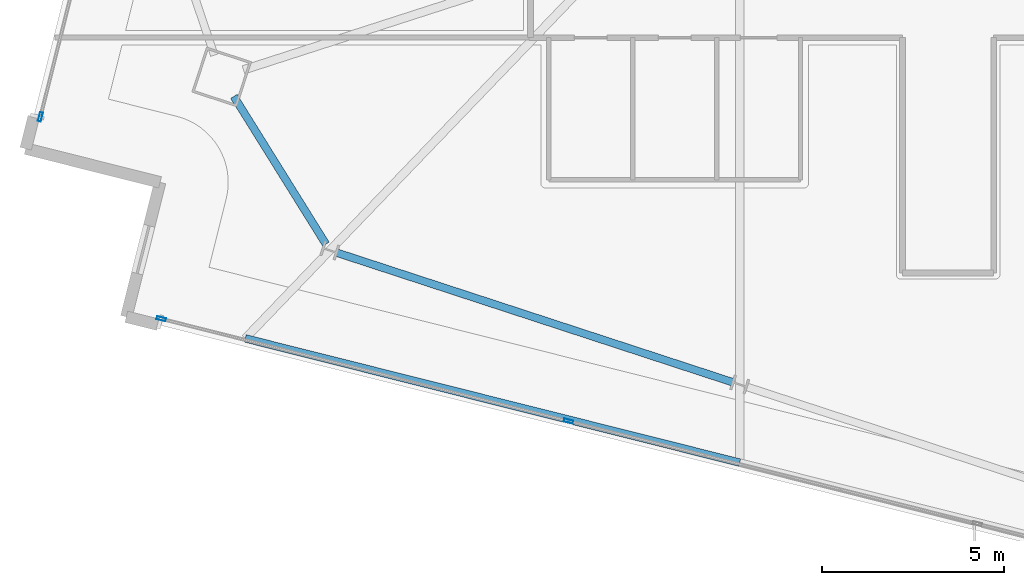
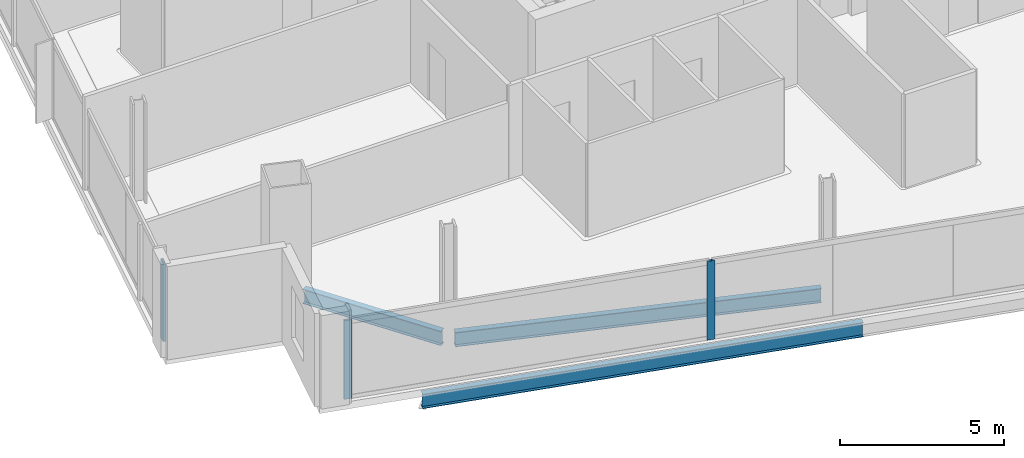
# One storey, part 2 of 28: 3 beams, 3 members, 2 elements without a shape of their own.
"""IFC4 building model written with IfcOpenShell, lengths in metres."""

from ifc_helpers import new_model, si_unit, direction, frame, origin, origin_2d, place, context, subcontext, project, spatial, hollow_rectangle, i_section, extrude, material, material_profile, profile_set, type_object, element, aggregate, save


model = new_model("IFC4")

# Units and contexts
model_context = context("Model", 3, precision=1e-05, world=origin(), true_north=direction((0.0, 1.0)))
body_context = subcontext(model_context, "Body", "Model", "MODEL_VIEW")
ifc_project = project(units=[si_unit("LENGTHUNIT", "METRE"), si_unit("AREAUNIT", "SQUARE_METRE"), si_unit("VOLUMEUNIT", "CUBIC_METRE"), si_unit("PLANEANGLEUNIT", "RADIAN"), si_unit("MASSUNIT", "GRAM", prefix="KILO")], contexts=[model_context])

# Site, building, storey
site_placement = place(None, origin())
site = spatial("IfcSite", under=ifc_project, at=site_placement, CompositionType="ELEMENT")
building_placement = place(site_placement, origin())
building = spatial("IfcBuilding", under=site, at=building_placement, Name="Haldenkirk Collegiate Tower", CompositionType="ELEMENT")
storey_placement = place(building_placement, frame((0.0, 0.0, 282.449951171875)))
storey = spatial("IfcBuildingStorey", under=building, at=storey_placement, Name="L71", CompositionType="ELEMENT", Elevation=282.449951171875)

# Beams
ifc_material_1 = material(Name="Steel ASTM A992 Grade 50", Category="steel")
ifc_material_profile_1 = material_profile(ifc_material_1, i_section(OverallWidth=0.2099609375, OverallDepth=0.537109375, WebThickness=0.010986328125, FlangeThickness=0.017333984375, at=origin_2d()), Name="W21X68")
ifc_profile_set_1 = profile_set([ifc_material_profile_1], Name="Steel ASTM A992 Grade 50")
beam_type = type_object("IfcBeamType", Name="BM-SPANDREL-W21X68", PredefinedType="SPANDREL", material=ifc_profile_set_1)
beam_1_placement = place(storey_placement, frame((16.41064453125, 13.939697265625, -0.538330078125), z_axis=(0.528899826427, -0.848684260255, 0.0), x_axis=(0.848684260255, 0.528899826427, 0.0)))
element("IfcBeam", 1, at=beam_1_placement, inside=storey, type_object=beam_type, Name="L71 perimeter spandrel beam 13", PredefinedType="SPANDREL", context=body_context, shape_type="SweptSolid", body=[
    extrude(i_section(OverallWidth=0.2099609375, OverallDepth=0.537109375, WebThickness=0.010986328125, FlangeThickness=0.017333984375, at=origin_2d()), origin(), (0.0, 0.0, 1.0), 4.77392578125),
])
beam_2_placement = place(storey_placement, frame((19.235107421875, 9.6533203125, -0.538330078125), z_axis=(0.950408846531, -0.311003254701, 0.0), x_axis=(0.311003254701, 0.950408846531, 0.0)))
element("IfcBeam", 2, at=beam_2_placement, inside=storey, type_object=beam_type, Name="L71 perimeter spandrel beam 14", PredefinedType="SPANDREL", context=body_context, shape_type="SweptSolid", body=[
    extrude(i_section(OverallWidth=0.2099609375, OverallDepth=0.537109375, WebThickness=0.010986328125, FlangeThickness=0.017333984375, at=origin_2d()), origin(), (0.0, 0.0, 1.0), 11.421875),
])
beam_3_placement = place(storey_placement, frame((16.72412109375, 7.302490234375, -0.538330078125), z_axis=(0.969872763661, -0.243612032357, 0.0), x_axis=(0.243612032357, 0.969872763661, 0.0)))
element("IfcBeam", 3, at=beam_3_placement, inside=storey, type_object=beam_type, Name="L71 outer facade edge beam 4A", PredefinedType="SPANDREL", context=body_context, shape_type="SweptSolid", body=[
    extrude(i_section(OverallWidth=0.2099609375, OverallDepth=0.537109375, WebThickness=0.010986328125, FlangeThickness=0.017333984375, at=origin_2d()), origin(), (0.0, 0.0, 1.0), 13.980224609375),
])

# Curtain wall, member
ifc_material_2 = material(Name="Anodised architectural bronze aluminium", Category="aluminium")
curtain_wall_type = type_object("IfcCurtainWallType", Name="CW-SYS1B-CONVEX-HI", PredefinedType="USERDEFINED", material=ifc_material_2)
curtain_wall_1_placement = place(storey_placement, origin())
curtain_wall_1 = element("IfcCurtainWall", 4, at=curtain_wall_1_placement, inside=storey, type_object=curtain_wall_type, Name="L71 Upper tower high-wind convex bronze unitised curtain wall", ObjectType="UNITISED CURTAIN WALL", PredefinedType="USERDEFINED")
ifc_material_profile_2 = material_profile(ifc_material_2, hollow_rectangle(XDim=0.0849609375, YDim=0.25, WallThickness=0.0048828125, at=origin_2d()), Name="CW-MUL-1B")
ifc_profile_set_2 = profile_set([ifc_material_profile_2], Name="Anodised architectural bronze aluminium")
member_type = type_object("IfcMemberType", Name="CW-MUL-1B", PredefinedType="MULLION", material=ifc_profile_set_2)
member_1_placement = place(storey_placement, frame((11.104736328125, 13.376953125, 0.0), z_axis=(0.0, 0.0, 1.0), x_axis=(-0.969872467161, 0.243613212786, 0.0)))
member_1 = element("IfcMember", 5, at=member_1_placement, type_object=member_type, Name="CW-1B mullion 1", PredefinedType="MULLION", context=body_context, shape_type="SweptSolid", body=[
    extrude(hollow_rectangle(XDim=0.0849609375, YDim=0.25, WallThickness=0.0048828125, at=origin_2d()), origin(), (0.0, 0.0, 1.0), 2.93798828125),
])
aggregate(curtain_wall_1, [member_1])

# Curtain wall, members
curtain_wall_2_placement = place(storey_placement, origin())
curtain_wall_2 = element("IfcCurtainWall", 6, at=curtain_wall_2_placement, inside=storey, type_object=curtain_wall_type, Name="L71 Upper tower high-wind convex bronze unitised curtain wall", ObjectType="UNITISED CURTAIN WALL", PredefinedType="USERDEFINED")
member_2_placement = place(storey_placement, frame((25.58740234375, 5.03515625, 0.0), z_axis=(0.0, 0.0, 1.0), x_axis=(-0.24361101081, -0.969873020252, 0.0)))
member_2 = element("IfcMember", 7, at=member_2_placement, type_object=member_type, Name="CW-1B mullion 3", PredefinedType="MULLION", context=body_context, shape_type="SweptSolid", body=[
    extrude(hollow_rectangle(XDim=0.0849609375, YDim=0.25, WallThickness=0.0048828125, at=origin_2d()), origin(), (0.0, 0.0, 1.0), 2.93798828125),
])
member_3_placement = place(storey_placement, frame((14.41845703125, 7.84033203125, 0.0), z_axis=(0.0, 0.0, 1.0), x_axis=(-0.24361101081, -0.969873020252, 0.0)))
member_3 = element("IfcMember", 8, at=member_3_placement, type_object=member_type, Name="CW-1B mullion 4", PredefinedType="MULLION", context=body_context, shape_type="SweptSolid", body=[
    extrude(hollow_rectangle(XDim=0.0849609375, YDim=0.25, WallThickness=0.0048828125, at=origin_2d()), origin(), (0.0, 0.0, 1.0), 2.93798828125),
])
aggregate(curtain_wall_2, [member_2, member_3])

save(model, "model.ifc")
